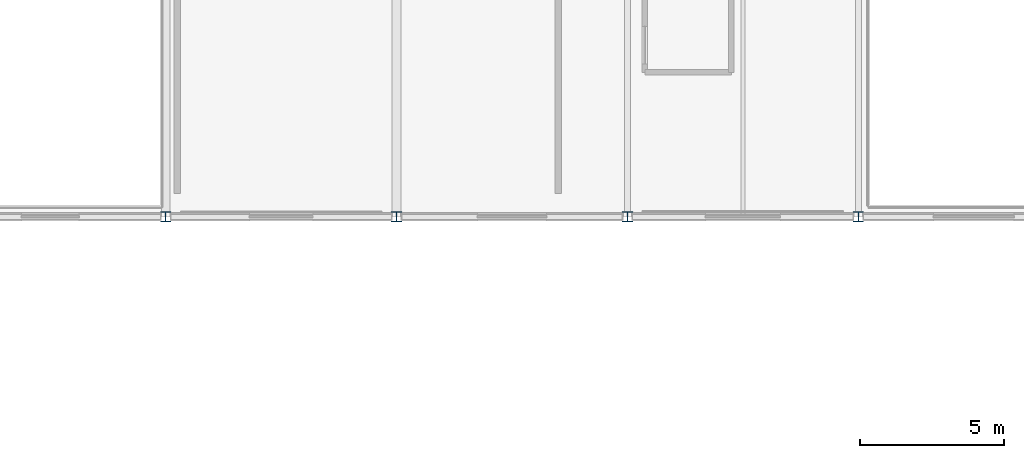
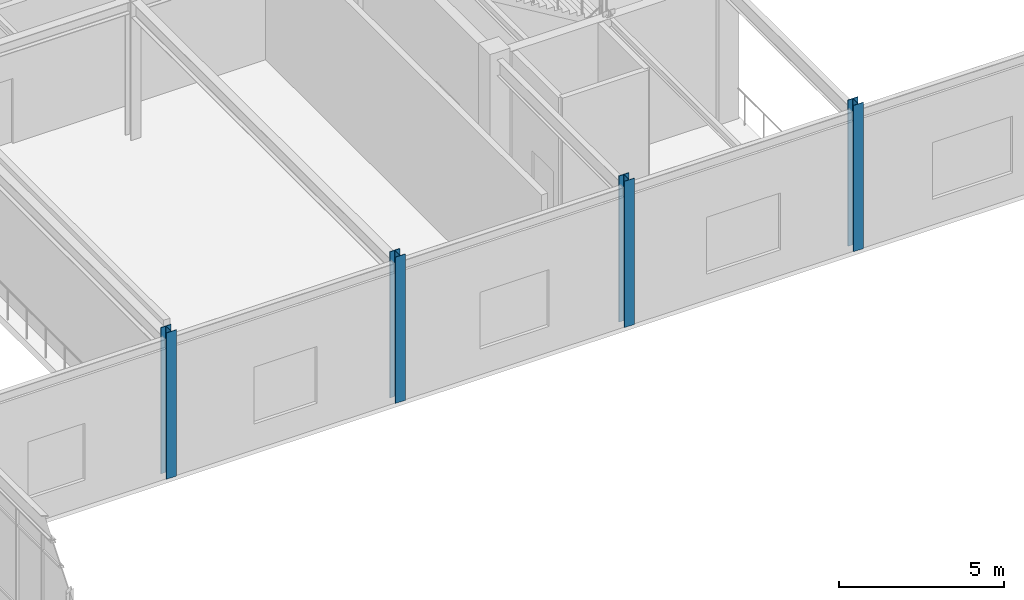
# One storey, part 10 of 184: 4 columns.
"""IFC4 building model written with IfcOpenShell, lengths in metres."""

from ifc_helpers import new_model, si_unit, direction, frame, origin, origin_2d, place, context, subcontext, project, spatial, i_section, extrude, material, material_profile, profile_set, type_object, element, save


model = new_model("IFC4")

# Units and contexts
model_context = context("Model", 3, precision=1e-05, world=origin(), true_north=direction((0.0, 1.0)))
body_context = subcontext(model_context, "Body", "Model", "MODEL_VIEW")
ifc_project = project(units=[si_unit("LENGTHUNIT", "METRE"), si_unit("AREAUNIT", "SQUARE_METRE"), si_unit("VOLUMEUNIT", "CUBIC_METRE"), si_unit("PLANEANGLEUNIT", "RADIAN"), si_unit("MASSUNIT", "GRAM", prefix="KILO")], contexts=[model_context])

# Site, building, storey
site_placement = place(None, origin())
site = spatial("IfcSite", under=ifc_project, at=site_placement, CompositionType="ELEMENT")
building_placement = place(site_placement, origin())
building = spatial("IfcBuilding", under=site, at=building_placement, Name="Zhaolan Boulevard Law Courts", CompositionType="ELEMENT")
storey_placement = place(building_placement, frame((0.0, 0.0, 5.39990234375)))
storey = spatial("IfcBuildingStorey", under=building, at=storey_placement, Name="L01", CompositionType="ELEMENT", Elevation=5.39990234375)

# Columns
ifc_material = material(Name="Structural steel Q355B", Category="steel")
ifc_material_profile = material_profile(ifc_material, i_section(OverallWidth=0.35009765625, OverallDepth=0.35009765625, WebThickness=0.011962890625, FlangeThickness=0.01904296875, FilletRadius=0.02001953125, at=origin_2d()), Name="HW350x350")
ifc_profile_set = profile_set([ifc_material_profile], Name="Structural steel Q355B")
column_type = type_object("IfcColumnType", Name="COL HW350", PredefinedType="COLUMN", material=ifc_profile_set)
for number, where, z_axis, x_axis, name in (
    (1, (68.0, 62.0, 0.0), (0.0, 0.0, 1.0), (1.0, 0.0, 0.0), "Column C-9J (L01)"),
    (2, (76.0, 62.0, 0.0), (0.0, 0.0, 1.0), (1.0, 0.0, 0.0), "Column C-10J (L01)"),
    (3, (84.0, 62.0, 0.0), (0.0, 0.0, 1.0), (1.0, 0.0, 0.0), "Column C-11J (L01)"),
    (4, (92.0, 62.0, 0.0), (0.0, 0.0, 1.0), (1.0, 0.0, 0.0), "Column C-12J (L01)"),
):
    element("IfcColumn", number, at=place(storey_placement, frame(where, z_axis=z_axis, x_axis=x_axis)), inside=storey, type_object=column_type, Name=name, PredefinedType="COLUMN", context=body_context, shape_type="SweptSolid", body=[
        extrude(i_section(OverallWidth=0.35009765625, OverallDepth=0.35009765625, WebThickness=0.011962890625, FlangeThickness=0.01904296875, FilletRadius=0.02001953125, at=origin_2d()), origin(), (0.0, 0.0, 1.0), 5.400146484375),
    ])

save(model, "model.ifc")
